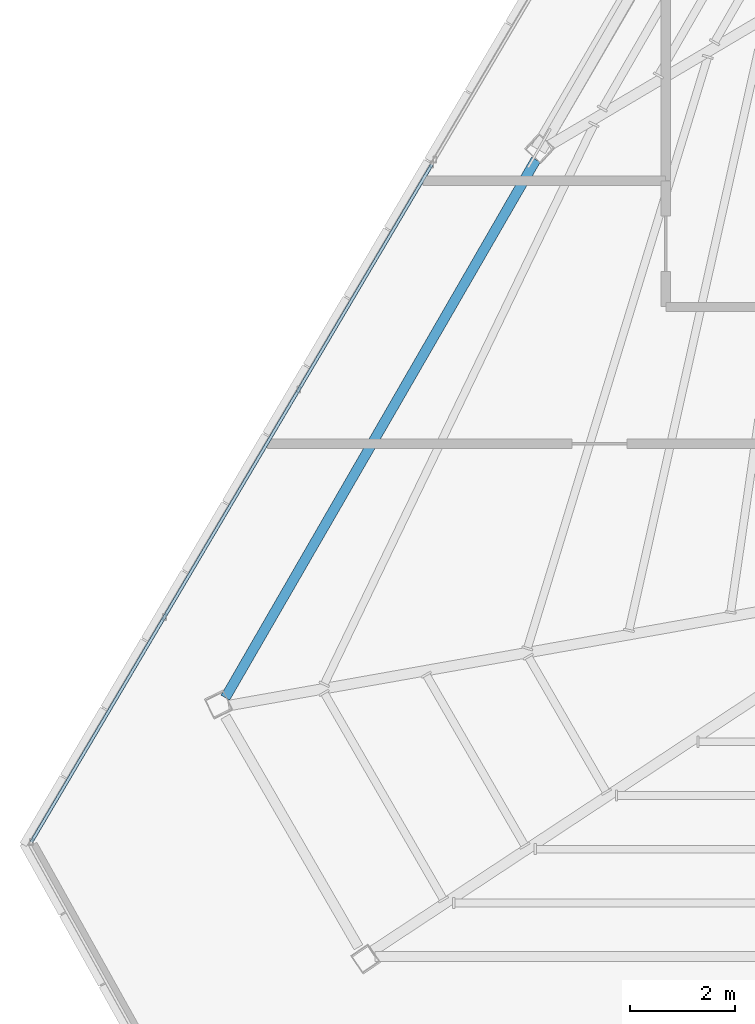
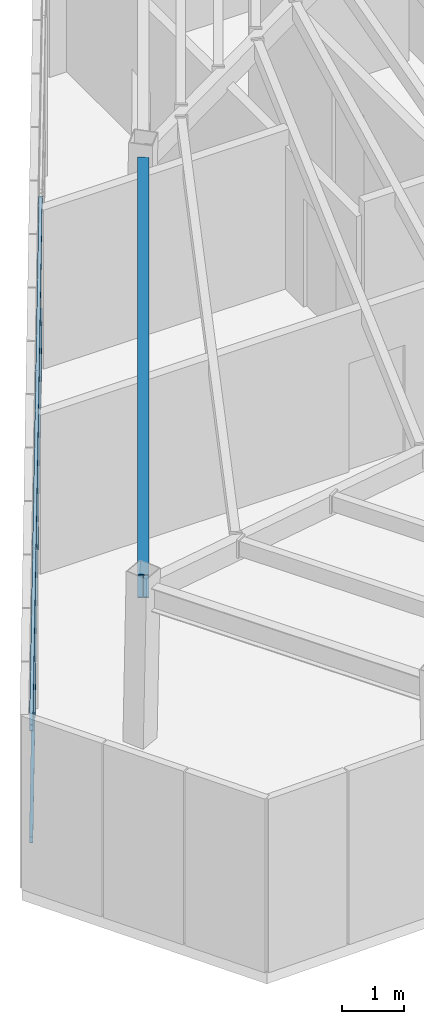
# One storey, part 8 of 48: 2 members, 1 beam, 1 element without a shape of its own.
"""IFC4 building model written with IfcOpenShell, lengths in metres."""

from ifc_helpers import new_model, si_unit, direction, frame, origin, origin_2d, place, context, subcontext, project, spatial, hollow_rectangle, i_section, extrude, source, transform, mapped, material, material_profile, profile_set, type_object, type_shapes, element, aggregate, save


model = new_model("IFC4")

# Units and contexts
model_context = context("Model", 3, precision=1e-05, world=origin(), true_north=direction((0.0, 1.0)))
body_context = subcontext(model_context, "Body", "Model", "MODEL_VIEW")
ifc_project = project(units=[si_unit("LENGTHUNIT", "METRE"), si_unit("AREAUNIT", "SQUARE_METRE"), si_unit("VOLUMEUNIT", "CUBIC_METRE"), si_unit("PLANEANGLEUNIT", "RADIAN"), si_unit("MASSUNIT", "GRAM", prefix="KILO")], contexts=[model_context])

# Site, building, storey
site_placement = place(None, origin())
site = spatial("IfcSite", under=ifc_project, at=site_placement, CompositionType="ELEMENT")
building_placement = place(site_placement, origin())
building = spatial("IfcBuilding", under=site, at=building_placement, Name="Caelisora Broadcast Tower", CompositionType="ELEMENT")
storey_placement = place(building_placement, frame((0.0, 0.0, 300.0)))
storey = spatial("IfcBuildingStorey", under=building, at=storey_placement, Name="L79", CompositionType="ELEMENT", Elevation=300.0)

# Beam
ifc_material_1 = material(Name="Steel Grade 350 (AS/NZS 3679.1)", Category="steel")
ifc_material_profile_1 = material_profile(ifc_material_1, i_section(OverallWidth=0.19091796875, OverallDepth=0.46044921875, WebThickness=0.010009765625, FlangeThickness=0.01611328125, at=origin_2d()), Name="Steel Grade 350 (AS/NZS 3679.1)")
ifc_profile_set_1 = profile_set([ifc_material_profile_1], Name="Steel Grade 350 (AS/NZS 3679.1)")
beam_type = type_object("IfcBeamType", Name="PG06", PredefinedType="BEAM", material=ifc_profile_set_1)
shared_shape_1 = source(origin(), body_context, "Body", "SweptSolid", [
    extrude(i_section(OverallWidth=0.19091796875, OverallDepth=0.46044921875, WebThickness=0.010009765625, FlangeThickness=0.01611328125, at=origin_2d()), origin(), (0.0, 0.0, 1.0), 11.8095703125),
])
type_shapes(beam_type, [shared_shape_1])
beam_placement = place(storey_placement, frame((22.931884765625, 25.401123046875, 2.919921875), z_axis=(-0.50000340912, -0.866023435519, 0.0), x_axis=(0.866023435519, -0.50000340912, 0.0)))
element("IfcBeam", 1, at=beam_placement, inside=storey, type_object=beam_type, Name="L79 beam PG06", PredefinedType="BEAM", context=body_context, shape_type="MappedRepresentation", body=[
    mapped(shared_shape_1, transform((0.0, 0.0, 0.0), scale=1.0)),
])

# Curtain wall, members
ifc_material_2 = material(Name="Unitised Aluminium Insulated Shadow-Box Spandrel Curtain Wall", Category="aluminium")
curtain_wall_type = type_object("IfcCurtainWallType", Name="CW-SP3", PredefinedType="NOTDEFINED", material=ifc_material_2)
curtain_wall_placement = place(storey_placement, origin())
curtain_wall = element("IfcCurtainWall", 2, at=curtain_wall_placement, inside=storey, type_object=curtain_wall_type, Name="L79 curtain wall CW-SP3", PredefinedType="NOTDEFINED")
ifc_material_3 = material(Name="Aluminium 6063-T6 Anodised Terracotta Bronze", Category="aluminium")
ifc_material_profile_2 = material_profile(ifc_material_3, hollow_rectangle(XDim=0.06005859375, YDim=0.1201171875, WallThickness=0.0029296875, at=origin_2d()), Name="Aluminium 6063-T6 Anodised Terracotta Bronze")
ifc_profile_set_2 = profile_set([ifc_material_profile_2], Name="Aluminium 6063-T6 Anodised Terracotta Bronze")
member_type = type_object("IfcMemberType", Name="CWT-03", PredefinedType="USERDEFINED", material=ifc_profile_set_2)
shared_shape_2 = source(origin(), body_context, "Body", "SweptSolid", [
    extrude(hollow_rectangle(XDim=0.06005859375, YDim=0.1201171875, WallThickness=0.0029296875, at=origin_2d()), origin(), (0.0, 0.0, 1.0), 14.95947265625),
])
type_shapes(member_type, [shared_shape_2])
member_1_placement = place(storey_placement, frame((13.34033203125, 12.428955078125, 0.85009765625), z_axis=(0.508846972643, 0.860856990697, 0.0), x_axis=(-0.860856990697, 0.508846972643, 0.0)))
member_1 = element("IfcMember", 3, at=member_1_placement, type_object=member_type, Name="L79-CW-B09 transom #1", ObjectType="TRANSOM", PredefinedType="USERDEFINED", context=body_context, shape_type="MappedRepresentation", body=[
    mapped(shared_shape_2, transform((0.0, 0.0, 0.0), scale=1.0)),
])
member_2_placement = place(storey_placement, frame((13.34033203125, 12.428955078125, 3.070068359375), z_axis=(0.508846972643, 0.860856990697, 0.0), x_axis=(-0.860856990697, 0.508846972643, 0.0)))
member_2 = element("IfcMember", 4, at=member_2_placement, type_object=member_type, Name="L79-CW-B09 transom #2", ObjectType="TRANSOM", PredefinedType="USERDEFINED", context=body_context, shape_type="MappedRepresentation", body=[
    mapped(shared_shape_2, transform((0.0, 0.0, 0.0), scale=1.0)),
])
aggregate(curtain_wall, [member_1, member_2])

save(model, "model.ifc")
